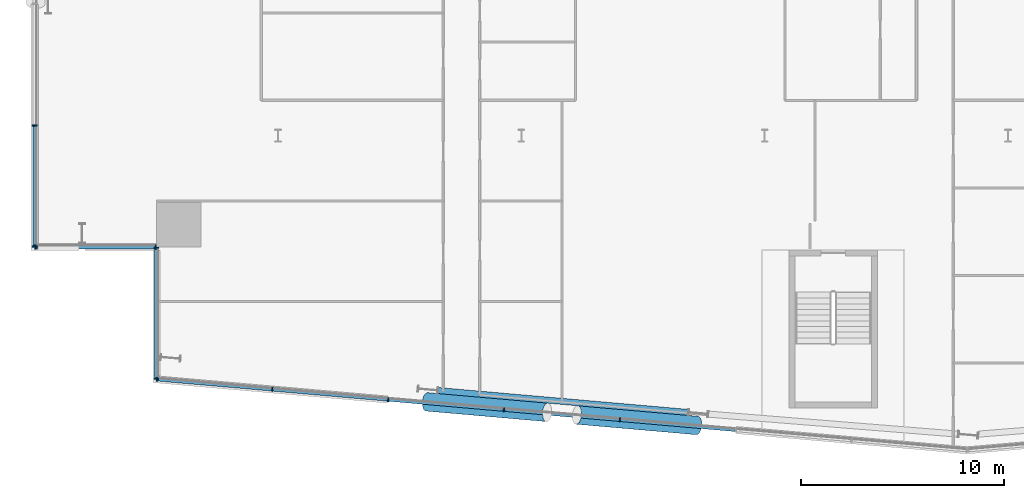
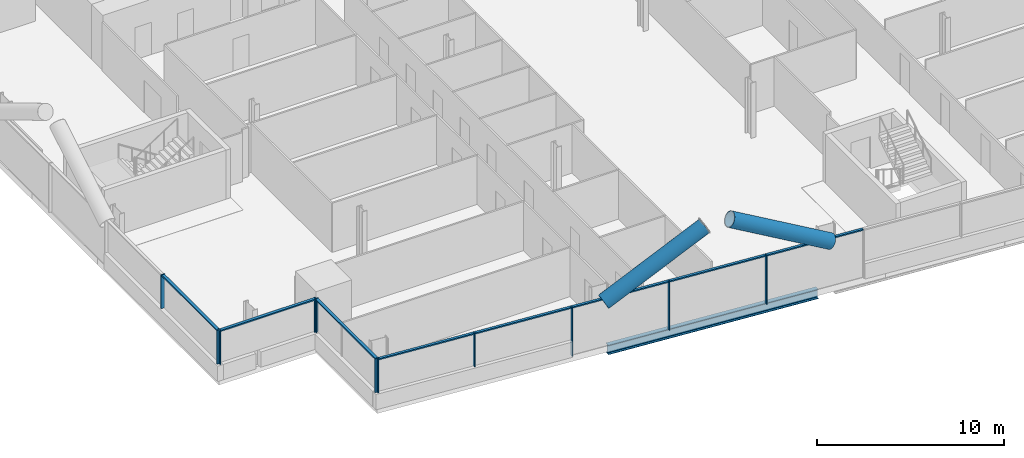
# One storey, part 4 of 27: 21 members, 1 beam, 4 elements without a shape of their own.
"""IFC4 building model written with IfcOpenShell, lengths in metres."""

from ifc_helpers import new_model, si_unit, direction, frame, origin, origin_2d, place, context, subcontext, project, spatial, rectangle, hollow_circle, i_section, extrude, material, material_profile, profile_set, type_object, element, aggregate, save


model = new_model("IFC4")

# Units and contexts
model_context = context("Model", 3, precision=1e-05, world=origin(), true_north=direction((0.0, 1.0)))
body_context = subcontext(model_context, "Body", "Model", "MODEL_VIEW")
ifc_project = project(units=[si_unit("LENGTHUNIT", "METRE"), si_unit("AREAUNIT", "SQUARE_METRE"), si_unit("VOLUMEUNIT", "CUBIC_METRE"), si_unit("PLANEANGLEUNIT", "RADIAN"), si_unit("MASSUNIT", "GRAM", prefix="KILO")], contexts=[model_context])

# Site, building, storey
site_placement = place(None, origin())
site = spatial("IfcSite", under=ifc_project, at=site_placement, CompositionType="ELEMENT")
building_placement = place(site_placement, origin())
building = spatial("IfcBuilding", under=site, at=building_placement, Name="Wharfspan Tower", CompositionType="ELEMENT")
storey_placement = place(building_placement, frame((0.0, 0.0, 81.100098)))
storey = spatial("IfcBuildingStorey", under=building, at=storey_placement, Name="L17", CompositionType="ELEMENT", Elevation=81.100098)

# Beam
ifc_material_1 = material(Name="Steel S355J2", Category="steel")
ifc_material_profile_1 = material_profile(ifc_material_1, i_section(OverallWidth=0.300049, OverallDepth=0.600098, WebThickness=0.015381, FlangeThickness=0.030029, FilletRadius=0.0271, at=origin_2d()))
ifc_profile_set_1 = profile_set([ifc_material_profile_1], Name="Steel S355J2")
beam_type = type_object("IfcBeamType", Name="Edge beam HEB 600", PredefinedType="SPANDREL", material=ifc_profile_set_1)
beam_placement = place(storey_placement, frame((19.888916, -1.077637, -0.700195), z_axis=(0.996195, -0.087154, 0.0), x_axis=(0.087154, 0.996195, 0.0)))
element("IfcBeam", 1, at=beam_placement, inside=storey, type_object=beam_type, Name="Edge beam S1 L17 PS1.2 to PS1.3", PredefinedType="SPANDREL", context=body_context, shape_type="SweptSolid", body=[
    extrude(i_section(OverallWidth=0.300049, OverallDepth=0.600098, WebThickness=0.015381, FlangeThickness=0.030029, FilletRadius=0.0271, at=origin_2d()), origin(), (0.0, 0.0, 1.0), 12.384277),
])

# Curtain wall, members
ifc_material_2 = material(Name="Aluminium 6063-T6", Category="aluminium")
curtain_wall_type_1 = type_object("IfcCurtainWallType", Name="CURTAIN WALL FACETED FRONT", PredefinedType="NOTDEFINED", material=ifc_material_2)
curtain_wall_1_placement = place(storey_placement, origin())
curtain_wall_1 = element("IfcCurtainWall", 2, at=curtain_wall_1_placement, inside=storey, type_object=curtain_wall_type_1, Name="Curtain wall S1", PredefinedType="NOTDEFINED")
ifc_material_profile_2 = material_profile(ifc_material_2, rectangle(XDim=0.199951, YDim=0.060059, at=origin_2d()))
ifc_profile_set_2 = profile_set([ifc_material_profile_2], Name="Aluminium 6063-T6")
member_type_1 = type_object("IfcMemberType", Name="MULLION FACETED FRONT 60x200", PredefinedType="MULLION", material=ifc_profile_set_2)
member_1_placement = place(storey_placement, frame((6.029785, -0.527588, 1.0), z_axis=(0.0, 0.0, 1.0), x_axis=(0.087156, 0.996197, 0.0)))
member_1 = element("IfcMember", 3, at=member_1_placement, type_object=member_type_1, Name="Curtain wall S1 mullion 1", PredefinedType="MULLION", context=body_context, shape_type="SweptSolid", body=[
    extrude(rectangle(XDim=0.199951, YDim=0.060059, at=origin_2d()), origin(), (0.0, 0.0, 1.0), 2.199951),
])
member_2_placement = place(storey_placement, frame((11.714355, -1.024902, 1.0), z_axis=(0.0, 0.0, 1.0), x_axis=(0.087156, 0.996197, 0.0)))
member_2 = element("IfcMember", 4, at=member_2_placement, type_object=member_type_1, Name="Curtain wall S1 mullion 2", PredefinedType="MULLION", context=body_context, shape_type="SweptSolid", body=[
    extrude(rectangle(XDim=0.199951, YDim=0.060059, at=origin_2d()), origin(), (0.0, 0.0, 1.0), 2.199951),
])
member_3_placement = place(storey_placement, frame((17.428467, -1.524902, 0.0), z_axis=(0.0, 0.0, 1.0), x_axis=(0.087156, 0.996197, 0.0)))
member_3 = element("IfcMember", 5, at=member_3_placement, type_object=member_type_1, Name="Curtain wall S1 mullion 3", PredefinedType="MULLION", context=body_context, shape_type="SweptSolid", body=[
    extrude(rectangle(XDim=0.199951, YDim=0.060059, at=origin_2d()), origin(), (0.0, 0.0, 1.0), 3.199951),
])
member_4_placement = place(storey_placement, frame((23.142822, -2.024658, 0.0), z_axis=(0.0, 0.0, 1.0), x_axis=(0.087156, 0.996197, 0.0)))
member_4 = element("IfcMember", 6, at=member_4_placement, type_object=member_type_1, Name="Curtain wall S1 mullion 4", PredefinedType="MULLION", context=body_context, shape_type="SweptSolid", body=[
    extrude(rectangle(XDim=0.199951, YDim=0.060059, at=origin_2d()), origin(), (0.0, 0.0, 1.0), 3.199951),
])
member_5_placement = place(storey_placement, frame((28.857178, -2.524658, 0.0), z_axis=(0.0, 0.0, 1.0), x_axis=(0.087156, 0.996197, 0.0)))
member_5 = element("IfcMember", 7, at=member_5_placement, type_object=member_type_1, Name="Curtain wall S1 mullion 5", PredefinedType="MULLION", context=body_context, shape_type="SweptSolid", body=[
    extrude(rectangle(XDim=0.199951, YDim=0.060059, at=origin_2d()), origin(), (0.0, 0.0, 1.0), 3.199951),
])

curtain_wall_type_2 = type_object("IfcCurtainWallType", Name="CURTAIN WALL PROW AND END", PredefinedType="NOTDEFINED", material=ifc_material_2)
curtain_wall_2_placement = place(storey_placement, origin())
curtain_wall_2 = element("IfcCurtainWall", 8, at=curtain_wall_2_placement, inside=storey, type_object=curtain_wall_type_2, Name="Curtain wall W", PredefinedType="NOTDEFINED")
ifc_material_profile_3 = material_profile(ifc_material_2, rectangle(XDim=0.23999, YDim=0.060059, at=origin_2d()))
ifc_profile_set_3 = profile_set([ifc_material_profile_3], Name="Aluminium 6063-T6")
member_type_2 = type_object("IfcMemberType", Name="MULLION PROW AND END 60x240", PredefinedType="MULLION", material=ifc_profile_set_3)
member_6_placement = place(storey_placement, frame((0.0, 12.0, 1.0), z_axis=(0.0, 0.0, 1.0), x_axis=(1.0, 0.0, 0.0)))
member_6 = element("IfcMember", 9, at=member_6_placement, type_object=member_type_2, Name="Curtain wall W mullion 6", PredefinedType="MULLION", context=body_context, shape_type="SweptSolid", body=[
    extrude(rectangle(XDim=0.23999, YDim=0.060059, at=origin_2d()), origin(), (0.0, 0.0, 1.0), 2.199951),
])
member_7_placement = place(storey_placement, frame((0.0, 6.030029, 1.0), z_axis=(0.0, 0.0, 1.0), x_axis=(1.0, 0.0, 0.0)))
member_7 = element("IfcMember", 10, at=member_7_placement, type_object=member_type_2, Name="Curtain wall W mullion 7", PredefinedType="MULLION", context=body_context, shape_type="SweptSolid", body=[
    extrude(rectangle(XDim=0.23999, YDim=0.060059, at=origin_2d()), origin(), (0.0, 0.0, 1.0), 2.199951),
])

curtain_wall_3_placement = place(storey_placement, origin())
curtain_wall_3 = element("IfcCurtainWall", 11, at=curtain_wall_3_placement, inside=storey, type_object=curtain_wall_type_2, Name="Curtain wall NFW-H", PredefinedType="NOTDEFINED")
member_8_placement = place(storey_placement, frame((0.030029, 6.0, 1.0), z_axis=(0.0, 0.0, 1.0), x_axis=(0.0, 1.0, 0.0)))
member_8 = element("IfcMember", 12, at=member_8_placement, type_object=member_type_2, Name="Curtain wall NFW-H mullion 1", PredefinedType="MULLION", context=body_context, shape_type="SweptSolid", body=[
    extrude(rectangle(XDim=0.23999, YDim=0.060059, at=origin_2d()), origin(), (0.0, 0.0, 1.0), 2.199951),
])
member_9_placement = place(storey_placement, frame((5.969971, 6.0, 1.0), z_axis=(0.0, 0.0, 1.0), x_axis=(0.0, 1.0, 0.0)))
member_9 = element("IfcMember", 13, at=member_9_placement, type_object=member_type_2, Name="Curtain wall NFW-H mullion 2", PredefinedType="MULLION", context=body_context, shape_type="SweptSolid", body=[
    extrude(rectangle(XDim=0.23999, YDim=0.060059, at=origin_2d()), origin(), (0.0, 0.0, 1.0), 2.199951),
])

curtain_wall_4_placement = place(storey_placement, origin())
curtain_wall_4 = element("IfcCurtainWall", 14, at=curtain_wall_4_placement, inside=storey, type_object=curtain_wall_type_2, Name="Curtain wall NFW-V", PredefinedType="NOTDEFINED")
member_10_placement = place(storey_placement, frame((6.0, 5.969971, 1.0), z_axis=(0.0, 0.0, 1.0), x_axis=(1.0, 0.0, 0.0)))
member_10 = element("IfcMember", 15, at=member_10_placement, type_object=member_type_2, Name="Curtain wall NFW-V mullion 1", PredefinedType="MULLION", context=body_context, shape_type="SweptSolid", body=[
    extrude(rectangle(XDim=0.23999, YDim=0.060059, at=origin_2d()), origin(), (0.0, 0.0, 1.0), 2.199951),
])
member_11_placement = place(storey_placement, frame((6.0, -0.494873, 1.0), z_axis=(0.0, 0.0, 1.0), x_axis=(1.0, 0.0, 0.0)))
member_11 = element("IfcMember", 16, at=member_11_placement, type_object=member_type_2, Name="Curtain wall NFW-V mullion 2", PredefinedType="MULLION", context=body_context, shape_type="SweptSolid", body=[
    extrude(rectangle(XDim=0.23999, YDim=0.060059, at=origin_2d()), origin(), (0.0, 0.0, 1.0), 2.199951),
])

# Members
ifc_material_3 = material(Name="Steel S460NH", Category="steel")
ifc_material_profile_4 = material_profile(ifc_material_3, hollow_circle(Radius=0.457031, WallThickness=0.040039, at=origin_2d()))
ifc_profile_set_4 = profile_set([ifc_material_profile_4], Name="Steel S460NH")
member_type_3 = type_object("IfcMemberType", Name="Mega brace CHS 914x40", PredefinedType="BRACE", material=ifc_profile_set_4)
for number, where, z_axis, x_axis, name in (
    (17, (19.338135, -1.636719, 2.899902), (0.877314, -0.076746, 0.47374), (0.087144, 0.996196, 3e-06), "Mega brace S1 L18 part 1"),
    (18, (32.671387, -2.803223, 2.899902), (-0.877314, 0.076746, 0.47374), (-0.087144, -0.996196, 3e-06), "Mega brace S1 L18 part 3"),
):
    element("IfcMember", number, at=place(storey_placement, frame(where, z_axis=z_axis, x_axis=x_axis)), inside=storey, type_object=member_type_3, Name=name, PredefinedType="BRACE", context=body_context, shape_type="SweptSolid", body=[
        extrude(hollow_circle(Radius=0.457031, WallThickness=0.040039, at=origin_2d()), origin(), (0.0, 0.0, 1.0), 6.753662),
    ])

# Member
ifc_material_profile_5 = material_profile(ifc_material_2, rectangle(XDim=0.159912, YDim=0.080078, at=origin_2d()))
ifc_profile_set_5 = profile_set([ifc_material_profile_5], Name="Aluminium 6063-T6")
member_type_4 = type_object("IfcMemberType", Name="TRANSOM FACETED FRONT 80x160", PredefinedType="USERDEFINED", material=ifc_profile_set_5)
member_12_placement = place(storey_placement, frame((6.059814, -0.530273, 3.159912), z_axis=(0.996197, -0.087132, 0.0), x_axis=(0.087132, 0.996197, 0.0)))
member_12 = element("IfcMember", 19, at=member_12_placement, type_object=member_type_4, Name="Curtain wall S1 transom 1", ObjectType="TRANSOM", PredefinedType="USERDEFINED", context=body_context, shape_type="SweptSolid", body=[
    extrude(rectangle(XDim=0.159912, YDim=0.080078, at=origin_2d()), origin(), (0.0, 0.0, 1.0), 5.645996),
])

member_13_placement = place(storey_placement, frame((11.744141, -1.027588, 3.159912), z_axis=(0.996196, -0.087142, 0.0), x_axis=(0.087142, 0.996196, 0.0)))
member_13 = element("IfcMember", 20, at=member_13_placement, type_object=member_type_4, Name="Curtain wall S1 transom 2", ObjectType="TRANSOM", PredefinedType="USERDEFINED", context=body_context, shape_type="SweptSolid", body=[
    extrude(rectangle(XDim=0.159912, YDim=0.080078, at=origin_2d()), origin(), (0.0, 0.0, 1.0), 5.676025),
])

member_14_placement = place(storey_placement, frame((17.458496, -1.527344, 3.159912), z_axis=(0.996192, -0.087185, 0.0), x_axis=(0.087185, 0.996192, 0.0)))
member_14 = element("IfcMember", 21, at=member_14_placement, type_object=member_type_4, Name="Curtain wall S1 transom 3", ObjectType="TRANSOM", PredefinedType="USERDEFINED", context=body_context, shape_type="SweptSolid", body=[
    extrude(rectangle(XDim=0.159912, YDim=0.080078, at=origin_2d()), origin(), (0.0, 0.0, 1.0), 5.67627),
])

member_15_placement = place(storey_placement, frame((23.172852, -2.027344, 3.159912), z_axis=(0.996196, -0.087146, 0.0), x_axis=(0.087146, 0.996196, 0.0)))
member_15 = element("IfcMember", 22, at=member_15_placement, type_object=member_type_4, Name="Curtain wall S1 transom 4", ObjectType="TRANSOM", PredefinedType="USERDEFINED", context=body_context, shape_type="SweptSolid", body=[
    extrude(rectangle(XDim=0.159912, YDim=0.080078, at=origin_2d()), origin(), (0.0, 0.0, 1.0), 5.675781),
])

member_16_placement = place(storey_placement, frame((28.886963, -2.527344, 3.159912), z_axis=(0.996196, -0.087142, 0.0), x_axis=(0.087142, 0.996196, 0.0)))
member_16 = element("IfcMember", 23, at=member_16_placement, type_object=member_type_4, Name="Curtain wall S1 transom 5", ObjectType="TRANSOM", PredefinedType="USERDEFINED", context=body_context, shape_type="SweptSolid", body=[
    extrude(rectangle(XDim=0.159912, YDim=0.080078, at=origin_2d()), origin(), (0.0, 0.0, 1.0), 5.676025),
])

aggregate(curtain_wall_1, [member_1, member_2, member_3, member_4, member_5, member_12, member_13, member_14, member_15, member_16])

ifc_material_profile_6 = material_profile(ifc_material_2, rectangle(XDim=0.179932, YDim=0.080078, at=origin_2d()))
ifc_profile_set_6 = profile_set([ifc_material_profile_6], Name="Aluminium 6063-T6")
member_type_5 = type_object("IfcMemberType", Name="TRANSOM PROW AND END 80x180", PredefinedType="USERDEFINED", material=ifc_profile_set_6)
member_17_placement = place(storey_placement, frame((0.0, 11.969971, 3.159912), z_axis=(0.0, -1.0, 0.0), x_axis=(1.0, 0.0, 0.0)))
member_17 = element("IfcMember", 24, at=member_17_placement, type_object=member_type_5, Name="Curtain wall W transom 6", ObjectType="TRANSOM", PredefinedType="USERDEFINED", context=body_context, shape_type="SweptSolid", body=[
    extrude(rectangle(XDim=0.179932, YDim=0.080078, at=origin_2d()), origin(), (0.0, 0.0, 1.0), 5.909912),
])

aggregate(curtain_wall_2, [member_6, member_7, member_17])

member_18_placement = place(storey_placement, frame((0.060059, 6.0, 3.159912), z_axis=(1.0, 0.0, 0.0), x_axis=(0.0, 1.0, 0.0)))
member_18 = element("IfcMember", 25, at=member_18_placement, type_object=member_type_5, Name="Curtain wall NFW-H transom 1", ObjectType="TRANSOM", PredefinedType="USERDEFINED", context=body_context, shape_type="SweptSolid", body=[
    extrude(rectangle(XDim=0.179932, YDim=0.080078, at=origin_2d()), origin(), (0.0, 0.0, 1.0), 5.879883),
])

aggregate(curtain_wall_3, [member_8, member_9, member_18])

member_19_placement = place(storey_placement, frame((6.0, 5.939941, 3.159912), z_axis=(0.0, -1.0, 0.0), x_axis=(1.0, 0.0, 0.0)))
member_19 = element("IfcMember", 26, at=member_19_placement, type_object=member_type_5, Name="Curtain wall NFW-V transom 1", ObjectType="TRANSOM", PredefinedType="USERDEFINED", context=body_context, shape_type="SweptSolid", body=[
    extrude(rectangle(XDim=0.179932, YDim=0.080078, at=origin_2d()), origin(), (0.0, 0.0, 1.0), 6.404785),
])

aggregate(curtain_wall_4, [member_10, member_11, member_19])

save(model, "model.ifc")
